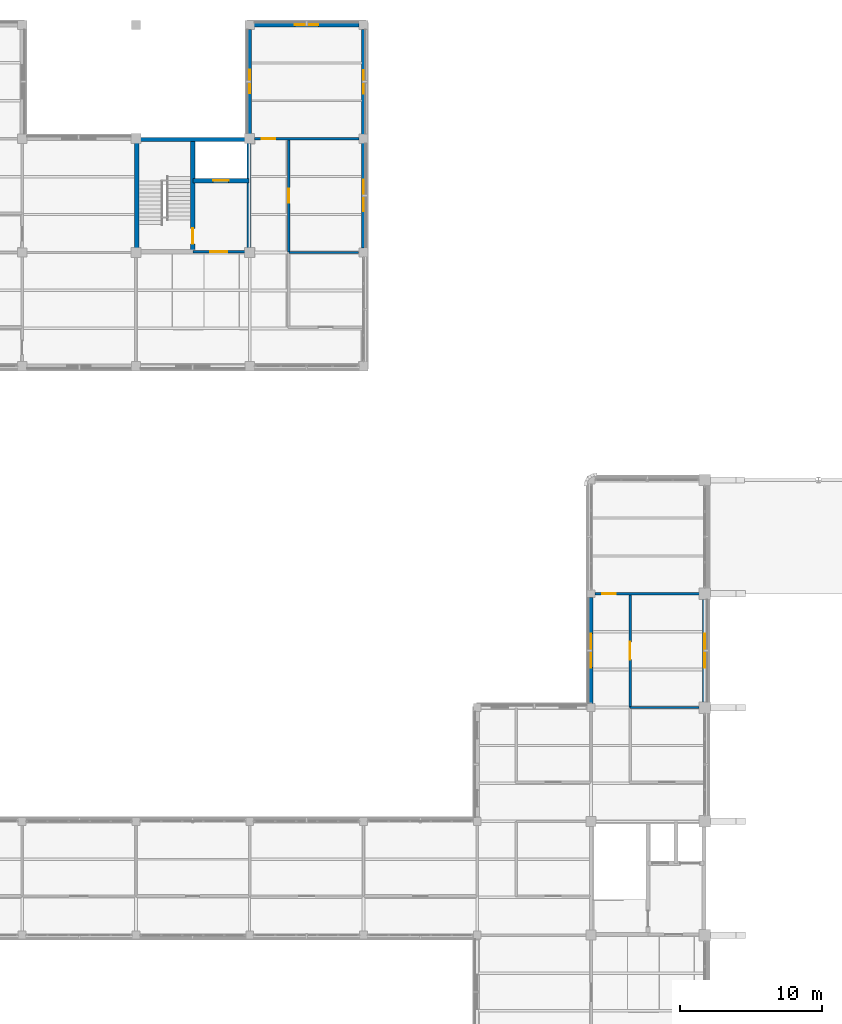
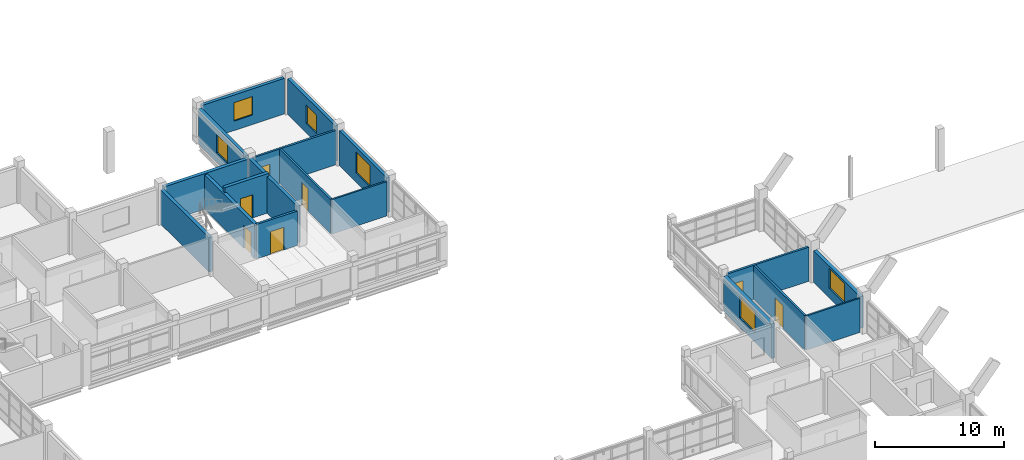
# One storey, part 70 of 92: 18 walls, 7 doors, 6 windows, 13 openings.
"""IFC4 building model written with IfcOpenShell, lengths in metres."""

from ifc_helpers import new_model, si_unit, derived_unit, direction, frame, frame_2d, origin, place, context, subcontext, project, spatial, rectangle, extrude, material, layer, layer_set, type_object, element, fill, save


model = new_model("IFC4")

# Units and contexts
model_context = context("Model", 3, precision=1e-05, world=origin(), true_north=direction((0.0, 1.0)))
body_context = subcontext(model_context, "Body", "Model", "MODEL_VIEW")
ifc_project = project(units=[si_unit("LENGTHUNIT", "METRE"), si_unit("AREAUNIT", "SQUARE_METRE"), si_unit("VOLUMEUNIT", "CUBIC_METRE"), si_unit("PLANEANGLEUNIT", "RADIAN"), si_unit("MASSUNIT", "GRAM", prefix="KILO"), derived_unit("THERMALTRANSMITTANCEUNIT", [(si_unit("MASSUNIT", "GRAM", prefix="KILO"), 1), (si_unit("TIMEUNIT", "SECOND"), -3), (si_unit("THERMODYNAMICTEMPERATUREUNIT", "KELVIN"), -1)])], contexts=[model_context])

# Site, building, storey
site_placement = place(None, origin())
site = spatial("IfcSite", under=ifc_project, at=site_placement, CompositionType="ELEMENT")
building_placement = place(site_placement, origin())
building = spatial("IfcBuilding", under=site, at=building_placement, Name="Veyamyaing Civic Hall", CompositionType="ELEMENT")
storey_placement = place(building_placement, frame((0.0, 0.0, 17.820068359375)))
storey = spatial("IfcBuildingStorey", under=building, at=storey_placement, Name="L04", CompositionType="ELEMENT", Elevation=17.820068359375)

# Wall, opening, window
ifc_material_1 = material(Name="Precast concrete C40/50", Category="concrete")
ifc_layer_1 = layer(ifc_material_1, 0.304931640625, Name="Precast concrete C40/50")
ifc_layer_set_1 = layer_set([ifc_layer_1], Name="Precast concrete C40/50")
wall_type_1 = type_object("IfcWallType", Name="WT-03", PredefinedType="SOLIDWALL", material=ifc_layer_set_1)
wall_1_placement = place(storey_placement, frame((64.0, 64.260009765625, 0.0), z_axis=(0.0, 0.0, 1.0), x_axis=(0.0, 1.0, 0.0)))
wall_1 = element("IfcWall", 1, at=wall_1_placement, inside=storey, type_object=wall_type_1, Name="Exterior facade wall WT-03 L04 W 9.9", PredefinedType="SOLIDWALL", context=body_context, shape_type="SweptSolid", body=[
    extrude(rectangle(XDim=7.47998046875, YDim=0.304931640625, at=frame_2d((3.739990234375, 0.0))), origin(), (0.0, 0.0, 1.0), 3.284912109375),
])
opening_1_placement = place(wall_1_placement, frame((2.5400390625, 0.0, 0.89990234375)))
opening_1 = element("IfcOpeningElement", 2, at=opening_1_placement, cuts=wall_1, Name="Opening W-07", PredefinedType="OPENING", context=body_context, shape_type="SweptSolid", body=[
    extrude(rectangle(XDim=2.39990234375, YDim=2.0, at=frame_2d((1.199951171875, 1.0))), frame((0.0, 0.162353515625, 0.0), z_axis=(0.0, -1.0, 0.0), x_axis=(1.0, 0.0, 0.0)), (0.0, 0.0, 1.0), 0.324951171875),
])
ifc_material_2 = material(Name="Low-E insulated glass", Category="glass")
window_type_1 = type_object("IfcWindowType", Name="W-07", PartitioningType="SINGLE_PANEL", PredefinedType="WINDOW", material=ifc_material_2)
window_1_placement = place(opening_1_placement, origin())
window_1 = element("IfcWindow", 3, at=window_1_placement, inside=storey, type_object=window_type_1, Name="Facade window W-07 L04 W 9.9", OverallHeight=2.0, OverallWidth=2.39990234375, PartitioningType="SINGLE_PANEL", PredefinedType="WINDOW", context=body_context, shape_type="SweptSolid", body=[
    extrude(rectangle(XDim=2.39990234375, YDim=2.0, at=frame_2d((1.199951171875, 1.0))), frame((0.0, 0.030029296875, 0.0), z_axis=(0.0, -1.0, 0.0), x_axis=(1.0, 0.0, 0.0)), (0.0, 0.0, 1.0), 0.06005859375),
])
fill(opening_1, window_1)

wall_2_placement = place(storey_placement, frame((72.0, 64.385009765625, 0.0), z_axis=(0.0, 0.0, 1.0), x_axis=(0.0, 1.0, 0.0)))
wall_2 = element("IfcWall", 4, at=wall_2_placement, inside=storey, type_object=wall_type_1, Name="Exterior facade wall WT-03 L04 E 9.9", PredefinedType="SOLIDWALL", context=body_context, shape_type="SweptSolid", body=[
    extrude(rectangle(XDim=7.22998046875, YDim=0.304931640625, at=frame_2d((3.614990234375, 0.0))), origin(), (0.0, 0.0, 1.0), 3.001953125),
])
opening_2_placement = place(wall_2_placement, frame((2.4150390625, 0.0, 0.89990234375)))
opening_2 = element("IfcOpeningElement", 5, at=opening_2_placement, cuts=wall_2, Name="Opening W-34", PredefinedType="OPENING", context=body_context, shape_type="SweptSolid", body=[
    extrude(rectangle(XDim=2.39990234375, YDim=1.902099609375, at=frame_2d((1.199951171875, 0.951171875))), frame((0.0, 0.162353515625, 0.0), z_axis=(0.0, -1.0, 0.0), x_axis=(1.0, 0.0, 0.0)), (0.0, 0.0, 1.0), 0.324951171875),
])
window_type_2 = type_object("IfcWindowType", Name="W-34", PartitioningType="SINGLE_PANEL", PredefinedType="WINDOW", material=ifc_material_2)
window_2_placement = place(opening_2_placement, origin())
window_2 = element("IfcWindow", 6, at=window_2_placement, inside=storey, type_object=window_type_2, Name="Facade window W-34 L04 E 9.9", OverallHeight=1.902099609375, OverallWidth=2.39990234375, PartitioningType="SINGLE_PANEL", PredefinedType="WINDOW", context=body_context, shape_type="SweptSolid", body=[
    extrude(rectangle(XDim=2.39990234375, YDim=1.902099609375, at=frame_2d((1.199951171875, 0.951171875))), frame((0.0, 0.030029296875, 0.0), z_axis=(0.0, -1.0, 0.0), x_axis=(1.0, 0.0, 0.0)), (0.0, 0.0, 1.0), 0.06005859375),
])
fill(opening_2, window_2)

ifc_layer_2 = layer(ifc_material_1, 0.280029296875, Name="Precast concrete C40/50")
ifc_layer_set_2 = layer_set([ifc_layer_2], Name="Precast concrete C40/50")
wall_type_2 = type_object("IfcWallType", Name="WT-04", PredefinedType="SOLIDWALL", material=ifc_layer_set_2)
wall_3_placement = place(storey_placement, frame((48.0, 96.31005859375, 0.0), z_axis=(0.0, 0.0, 1.0), x_axis=(0.0, 1.0, 0.0)))
wall_3 = element("IfcWall", 7, at=wall_3_placement, inside=storey, type_object=wall_type_2, Name="Exterior facade wall WT-04 L04 E 6.13", PredefinedType="SOLIDWALL", context=body_context, shape_type="SweptSolid", body=[
    extrude(rectangle(XDim=7.3798828125, YDim=0.280029296875, at=frame_2d((3.68994140625, 0.0))), origin(), (0.0, 0.0, 1.0), 3.31396484375),
])
opening_3_placement = place(wall_3_placement, frame((2.590087890625, 0.0, 0.89990234375)))
opening_3 = element("IfcOpeningElement", 8, at=opening_3_placement, cuts=wall_3, Name="Opening W-08", PredefinedType="OPENING", context=body_context, shape_type="SweptSolid", body=[
    extrude(rectangle(XDim=2.199951171875, YDim=2.0, at=frame_2d((1.10009765625, 1.0))), frame((0.0, 0.14990234375, 0.0), z_axis=(0.0, -1.0, 0.0), x_axis=(1.0, 0.0, 0.0)), (0.0, 0.0, 1.0), 0.300048828125),
])
window_type_3 = type_object("IfcWindowType", Name="W-08", PartitioningType="SINGLE_PANEL", PredefinedType="WINDOW", material=ifc_material_2)
window_3_placement = place(opening_3_placement, origin())
window_3 = element("IfcWindow", 9, at=window_3_placement, inside=storey, type_object=window_type_3, Name="Facade window W-08 L04 E 6.13", OverallHeight=2.0, OverallWidth=2.199951171875, PartitioningType="SINGLE_PANEL", PredefinedType="WINDOW", context=body_context, shape_type="SweptSolid", body=[
    extrude(rectangle(XDim=2.199951171875, YDim=2.0, at=frame_2d((1.10009765625, 1.0))), frame((0.0, 0.030029296875, 0.0), z_axis=(0.0, -1.0, 0.0), x_axis=(1.0, 0.0, 0.0)), (0.0, 0.0, 1.0), 0.06005859375),
])
fill(opening_3, window_3)

wall_4_placement = place(storey_placement, frame((40.31005859375, 112.0, 0.0), z_axis=(0.0, 0.0, 1.0), x_axis=(1.0, 0.0, 0.0)))
wall_4 = element("IfcWall", 10, at=wall_4_placement, inside=storey, type_object=wall_type_2, Name="Exterior facade wall WT-04 L04 N 6.14", PredefinedType="SOLIDWALL", context=body_context, shape_type="SweptSolid", body=[
    extrude(rectangle(XDim=7.3798828125, YDim=0.280029296875, at=frame_2d((3.68994140625, 0.0))), origin(), (0.0, 0.0, 1.0), 3.376953125),
])
opening_4_placement = place(wall_4_placement, frame((2.864990234375, 0.0, 0.89990234375)))
opening_4 = element("IfcOpeningElement", 11, at=opening_4_placement, cuts=wall_4, Name="Opening W-24", PredefinedType="OPENING", context=body_context, shape_type="SweptSolid", body=[
    extrude(rectangle(XDim=1.64990234375, YDim=1.75, at=frame_2d((0.824951171875, 0.875))), frame((0.0, 0.14990234375, 0.0), z_axis=(0.0, -1.0, 0.0), x_axis=(1.0, 0.0, 0.0)), (0.0, 0.0, 1.0), 0.300048828125),
])
window_type_4 = type_object("IfcWindowType", Name="W-24", PartitioningType="SINGLE_PANEL", PredefinedType="WINDOW", material=ifc_material_2)
window_4_placement = place(opening_4_placement, origin())
window_4 = element("IfcWindow", 12, at=window_4_placement, inside=storey, type_object=window_type_4, Name="Facade window W-24 L04 N 6.14", OverallHeight=1.75, OverallWidth=1.64990234375, PartitioningType="SINGLE_PANEL", PredefinedType="WINDOW", context=body_context, shape_type="SweptSolid", body=[
    extrude(rectangle(XDim=1.64990234375, YDim=1.75, at=frame_2d((0.824951171875, 0.875))), frame((0.0, 0.030029296875, 0.0), z_axis=(0.0, -1.0, 0.0), x_axis=(1.0, 0.0, 0.0)), (0.0, 0.0, 1.0), 0.06005859375),
])
fill(opening_4, window_4)

wall_5_placement = place(storey_placement, frame((40.0, 104.3349609375, 0.0), z_axis=(0.0, 0.0, 1.0), x_axis=(0.0, 1.0, 0.0)))
wall_5 = element("IfcWall", 13, at=wall_5_placement, inside=storey, type_object=wall_type_2, Name="Exterior facade wall WT-04 L04 W 6.14", PredefinedType="SOLIDWALL", context=body_context, shape_type="SweptSolid", body=[
    extrude(rectangle(XDim=7.35498046875, YDim=0.280029296875, at=frame_2d((3.677490234375, 0.0))), origin(), (0.0, 0.0, 1.0), 3.31396484375),
])
opening_5_placement = place(wall_5_placement, frame((2.8525390625, 0.0, 0.89990234375)))
opening_5 = element("IfcOpeningElement", 14, at=opening_5_placement, cuts=wall_5, Name="Opening W-24", PredefinedType="OPENING", context=body_context, shape_type="SweptSolid", body=[
    extrude(rectangle(XDim=1.64990234375, YDim=1.75, at=frame_2d((0.824951171875, 0.875))), frame((0.0, 0.14990234375, 0.0), z_axis=(0.0, -1.0, 0.0), x_axis=(1.0, 0.0, 0.0)), (0.0, 0.0, 1.0), 0.300048828125),
])
window_5_placement = place(opening_5_placement, origin())
window_5 = element("IfcWindow", 15, at=window_5_placement, inside=storey, type_object=window_type_4, Name="Facade window W-24 L04 W 6.14", OverallHeight=1.75, OverallWidth=1.64990234375, PartitioningType="SINGLE_PANEL", PredefinedType="WINDOW", context=body_context, shape_type="SweptSolid", body=[
    extrude(rectangle(XDim=1.64990234375, YDim=1.75, at=frame_2d((0.824951171875, 0.875))), frame((0.0, 0.030029296875, 0.0), z_axis=(0.0, -1.0, 0.0), x_axis=(1.0, 0.0, 0.0)), (0.0, 0.0, 1.0), 0.06005859375),
])
fill(opening_5, window_5)

wall_6_placement = place(storey_placement, frame((48.0, 104.31005859375, 0.0), z_axis=(0.0, 0.0, 1.0), x_axis=(0.0, 1.0, 0.0)))
wall_6 = element("IfcWall", 16, at=wall_6_placement, inside=storey, type_object=wall_type_2, Name="Exterior facade wall WT-04 L04 E 6.14", PredefinedType="SOLIDWALL", context=body_context, shape_type="SweptSolid", body=[
    extrude(rectangle(XDim=7.3798828125, YDim=0.280029296875, at=frame_2d((3.68994140625, 0.0))), origin(), (0.0, 0.0, 1.0), 3.376953125),
])
opening_6_placement = place(wall_6_placement, frame((2.864990234375, 0.0, 0.89990234375)))
opening_6 = element("IfcOpeningElement", 17, at=opening_6_placement, cuts=wall_6, Name="Opening W-24", PredefinedType="OPENING", context=body_context, shape_type="SweptSolid", body=[
    extrude(rectangle(XDim=1.64990234375, YDim=1.75, at=frame_2d((0.824951171875, 0.875))), frame((0.0, 0.14990234375, 0.0), z_axis=(0.0, -1.0, 0.0), x_axis=(1.0, 0.0, 0.0)), (0.0, 0.0, 1.0), 0.300048828125),
])
window_6_placement = place(opening_6_placement, origin())
window_6 = element("IfcWindow", 18, at=window_6_placement, inside=storey, type_object=window_type_4, Name="Facade window W-24 L04 E 6.14", OverallHeight=1.75, OverallWidth=1.64990234375, PartitioningType="SINGLE_PANEL", PredefinedType="WINDOW", context=body_context, shape_type="SweptSolid", body=[
    extrude(rectangle(XDim=1.64990234375, YDim=1.75, at=frame_2d((0.824951171875, 0.875))), frame((0.0, 0.030029296875, 0.0), z_axis=(0.0, -1.0, 0.0), x_axis=(1.0, 0.0, 0.0)), (0.0, 0.0, 1.0), 0.06005859375),
])
fill(opening_6, window_6)

# Walls
ifc_material_3 = material(Name="Concrete C40/50", Category="concrete")
ifc_layer_3 = layer(ifc_material_3, 0.300048828125, Name="Concrete C40/50")
ifc_layer_set_3 = layer_set([ifc_layer_3], Name="Concrete C40/50")
wall_type_3 = type_object("IfcWallType", Name="WT-05", PredefinedType="SHEAR", material=ifc_layer_set_3)
wall_7_placement = place(storey_placement, frame((32.050048828125, 96.239990234375, 0.0), z_axis=(0.0, 0.0, 1.0), x_axis=(0.0, 1.0, 0.0)))
element("IfcWall", 19, at=wall_7_placement, inside=storey, type_object=wall_type_3, Name="Core shear wall WT-05 CORE-2 L04.W", PredefinedType="SHEAR", context=body_context, shape_type="SweptSolid", body=[
    extrude(rectangle(XDim=7.52001953125, YDim=0.300048828125, at=frame_2d((3.760009765625, 0.0))), origin(), (0.0, 0.0, 1.0), 3.262939453125),
])
wall_8_placement = place(storey_placement, frame((32.239990234375, 103.949951171875, 0.0), z_axis=(0.0, 0.0, 1.0), x_axis=(1.0, 0.0, 0.0)))
element("IfcWall", 20, at=wall_8_placement, inside=storey, type_object=wall_type_3, Name="Core shear wall WT-05 CORE-2 L04.N", PredefinedType="SHEAR", context=body_context, shape_type="SweptSolid", body=[
    extrude(rectangle(XDim=7.52001953125, YDim=0.300048828125, at=frame_2d((3.760009765625, 0.0))), origin(), (0.0, 0.0, 1.0), 3.366943359375),
])
wall_9_placement = place(storey_placement, frame((39.949951171875, 96.239990234375, 0.0), z_axis=(0.0, 0.0, 1.0), x_axis=(0.0, 1.0, 0.0)))
element("IfcWall", 21, at=wall_9_placement, inside=storey, type_object=wall_type_3, Name="Core shear wall WT-05 CORE-2 L04.E", PredefinedType="SHEAR", context=body_context, shape_type="SweptSolid", body=[
    extrude(rectangle(XDim=7.52001953125, YDim=0.300048828125, at=frame_2d((3.760009765625, 0.0))), origin(), (0.0, 0.0, 1.0), 3.4619140625),
])

# Wall, opening, door
wall_10_placement = place(storey_placement, frame((36.0, 96.050048828125, 0.0), z_axis=(0.0, 0.0, 1.0), x_axis=(0.0, 1.0, 0.0)))
wall_10 = element("IfcWall", 22, at=wall_10_placement, inside=storey, type_object=wall_type_3, Name="Core shear wall WT-05 CORE-2 L04.MID", PredefinedType="SHEAR", context=body_context, shape_type="SweptSolid", body=[
    extrude(rectangle(XDim=7.89990234375, YDim=0.300048828125, at=frame_2d((3.949951171875, 0.0))), origin(), (0.0, 0.0, 1.0), 3.2568359375),
])
opening_7_placement = place(wall_10_placement, frame((0.550048828125, 0.0, 0.0)))
opening_7 = element("IfcOpeningElement", 23, at=opening_7_placement, cuts=wall_10, Name="Opening D-03", PredefinedType="OPENING", context=body_context, shape_type="SweptSolid", body=[
    extrude(rectangle(XDim=1.10009765625, YDim=2.14990234375, at=frame_2d((0.550048828125, 1.074951171875))), frame((0.0, 0.159912109375, 0.0), z_axis=(0.0, -1.0, 0.0), x_axis=(1.0, 0.0, 0.0)), (0.0, 0.0, 1.0), 0.320068359375),
])
ifc_material_4 = material(Name="Galvanized steel S355J2", Category="steel")
door_type_1 = type_object("IfcDoorType", Name="D-03", OperationType="NOTDEFINED", PredefinedType="DOOR", material=ifc_material_4)
door_1_placement = place(opening_7_placement, origin())
door_1 = element("IfcDoor", 24, at=door_1_placement, inside=storey, type_object=door_type_1, Name="Exit stair fire door D-03 ST-02 L04", OperationType="SINGLE_SWING_RIGHT", OverallHeight=2.14990234375, OverallWidth=1.10009765625, PredefinedType="DOOR", context=body_context, shape_type="SweptSolid", body=[
    extrude(rectangle(XDim=1.10009765625, YDim=2.14990234375, at=frame_2d((0.550048828125, 1.074951171875))), frame((0.0, 0.02490234375, 0.0), z_axis=(0.0, -1.0, 0.0), x_axis=(1.0, 0.0, 0.0)), (0.0, 0.0, 1.0), 0.050048828125),
])
fill(opening_7, door_1)

wall_11_placement = place(storey_placement, frame((36.0, 101.050048828125, 0.0), z_axis=(0.0, 0.0, 1.0), x_axis=(1.0, 0.0, 0.0)))
wall_11 = element("IfcWall", 25, at=wall_11_placement, inside=storey, type_object=wall_type_3, Name="Core shear wall WT-05 CORE-2 L04.LFT", PredefinedType="SHEAR", context=body_context, shape_type="SweptSolid", body=[
    extrude(rectangle(XDim=3.949951171875, YDim=0.300048828125, at=frame_2d((1.97509765625, 0.0))), origin(), (0.0, 0.0, 1.0), 3.73486328125),
])
opening_8_placement = place(wall_11_placement, frame((1.425048828125, 0.0, 0.0)))
opening_8 = element("IfcOpeningElement", 26, at=opening_8_placement, cuts=wall_11, Name="Opening LD-01", PredefinedType="OPENING", context=body_context, shape_type="SweptSolid", body=[
    extrude(rectangle(XDim=1.10009765625, YDim=2.199951171875, at=frame_2d((0.550048828125, 1.10009765625))), frame((0.0, 0.159912109375, 0.0), z_axis=(0.0, -1.0, 0.0), x_axis=(1.0, 0.0, 0.0)), (0.0, 0.0, 1.0), 0.320068359375),
])
ifc_material_5 = material(Name="Anodised aluminium 6063-T6", Category="aluminium")
door_type_2 = type_object("IfcDoorType", Name="LD-01", OperationType="SLIDING_TO_LEFT", PredefinedType="DOOR", material=ifc_material_5)
door_2_placement = place(opening_8_placement, origin())
door_2 = element("IfcDoor", 27, at=door_2_placement, inside=storey, type_object=door_type_2, Name="Lift sliding landing door LD-01 PL-01 L04", OperationType="SLIDING_TO_LEFT", OverallHeight=2.199951171875, OverallWidth=1.10009765625, PredefinedType="DOOR", context=body_context, shape_type="SweptSolid", body=[
    extrude(rectangle(XDim=1.10009765625, YDim=2.199951171875, at=frame_2d((0.550048828125, 1.10009765625))), frame((0.0, 0.02490234375, 0.0), z_axis=(0.0, -1.0, 0.0), x_axis=(1.0, 0.0, 0.0)), (0.0, 0.0, 1.0), 0.050048828125),
])
fill(opening_8, door_2)

ifc_layer_4 = layer(ifc_material_3, 0.199951171875, Name="Concrete C40/50")
ifc_layer_set_4 = layer_set([ifc_layer_4], Name="Concrete C40/50")
wall_type_4 = type_object("IfcWallType", Name="WT-06", PredefinedType="PARTITIONING", material=ifc_layer_set_4)
wall_12_placement = place(storey_placement, frame((36.0, 96.050048828125, 0.0), z_axis=(0.0, 0.0, 1.0), x_axis=(1.0, 0.0, 0.0)))
wall_12 = element("IfcWall", 28, at=wall_12_placement, inside=storey, type_object=wall_type_4, Name="Firefighting lift lobby wall WT-06 CORE-2 L04", PredefinedType="PARTITIONING", context=body_context, shape_type="SweptSolid", body=[
    extrude(rectangle(XDim=3.659912109375, YDim=0.199951171875, at=frame_2d((1.830078125, 0.0))), origin(), (0.0, 0.0, 1.0), 3.2568359375),
])
opening_9_placement = place(wall_12_placement, frame((1.22998046875, 0.0, 0.0)))
opening_9 = element("IfcOpeningElement", 29, at=opening_9_placement, cuts=wall_12, Name="Opening D-04", PredefinedType="OPENING", context=body_context, shape_type="SweptSolid", body=[
    extrude(rectangle(XDim=1.199951171875, YDim=2.14990234375, at=frame_2d((0.60009765625, 1.074951171875))), frame((0.0, 0.10986328125, 0.0), z_axis=(0.0, -1.0, 0.0), x_axis=(1.0, 0.0, 0.0)), (0.0, 0.0, 1.0), 0.219970703125),
])
door_type_3 = type_object("IfcDoorType", Name="D-04", OperationType="NOTDEFINED", PredefinedType="DOOR", material=ifc_material_4)
door_3_placement = place(opening_9_placement, frame((1.199951171875, 0.0, 0.0), z_axis=(0.0, 0.0, 1.0), x_axis=(-1.0, 0.0, 0.0)))
door_3 = element("IfcDoor", 30, at=door_3_placement, inside=storey, type_object=door_type_3, Name="Protected lobby fire door D-04 CORE-2 L04", OperationType="SINGLE_SWING_LEFT", OverallHeight=2.14990234375, OverallWidth=1.199951171875, PredefinedType="DOOR", context=body_context, shape_type="SweptSolid", body=[
    extrude(rectangle(XDim=1.199951171875, YDim=2.14990234375, at=frame_2d((0.60009765625, 1.074951171875))), frame((0.0, 0.02490234375, 0.0), z_axis=(0.0, -1.0, 0.0), x_axis=(1.0, 0.0, 0.0)), (0.0, 0.0, 1.0), 0.050048828125),
])
fill(opening_9, door_3)

ifc_material_6 = material(Name="Gypsum board on acoustic steel stud", Category="steel")
ifc_layer_5 = layer(ifc_material_6, 0.175048828125, Name="Gypsum board on acoustic steel stud")
ifc_layer_set_5 = layer_set([ifc_layer_5], Name="Gypsum board on acoustic steel stud")
wall_type_5 = type_object("IfcWallType", Name="WT-07", PredefinedType="PARTITIONING", material=ifc_layer_set_5)
wall_13_placement = place(storey_placement, frame((42.75, 96.02001953125, 0.0), z_axis=(0.0, 0.0, 1.0), x_axis=(0.0, 1.0, 0.0)))
wall_13 = element("IfcWall", 31, at=wall_13_placement, inside=storey, type_object=wall_type_5, Name="Corridor gallery partition WT-07 L04.17.1", PredefinedType="PARTITIONING", context=body_context, shape_type="SweptSolid", body=[
    extrude(rectangle(XDim=7.9599609375, YDim=0.175048828125, at=frame_2d((3.97998046875, 0.0))), origin(), (0.0, 0.0, 1.0), 3.2509765625),
])
opening_10_placement = place(wall_13_placement, frame((3.489990234375, 0.0, 0.0)))
opening_10 = element("IfcOpeningElement", 32, at=opening_10_placement, cuts=wall_13, Name="Opening D-14", PredefinedType="OPENING", context=body_context, shape_type="SweptSolid", body=[
    extrude(rectangle(XDim=0.97998046875, YDim=2.14990234375, at=frame_2d((0.489990234375, 1.074951171875))), frame((0.0, 0.097412109375, 0.0), z_axis=(0.0, -1.0, 0.0), x_axis=(1.0, 0.0, 0.0)), (0.0, 0.0, 1.0), 0.195068359375),
])
ifc_material_7 = material(Name="Teak-veneered acoustic timber", Category="wood")
door_type_4 = type_object("IfcDoorType", Name="D-14", OperationType="NOTDEFINED", PredefinedType="DOOR", material=ifc_material_7)
door_4_placement = place(opening_10_placement, frame((0.97998046875, 0.0, 0.0), z_axis=(0.0, 0.0, 1.0), x_axis=(-1.0, 0.0, 0.0)))
door_4 = element("IfcDoor", 33, at=door_4_placement, inside=storey, type_object=door_type_4, Name="Gallery office door D-14 L04.17", OperationType="SINGLE_SWING_RIGHT", OverallHeight=2.14990234375, OverallWidth=0.97998046875, PredefinedType="DOOR", context=body_context, shape_type="SweptSolid", body=[
    extrude(rectangle(XDim=0.97998046875, YDim=2.14990234375, at=frame_2d((0.489990234375, 1.074951171875))), frame((0.0, 0.02490234375, 0.0), z_axis=(0.0, -1.0, 0.0), x_axis=(1.0, 0.0, 0.0)), (0.0, 0.0, 1.0), 0.050048828125),
])
fill(opening_10, door_4)

wall_14_placement = place(storey_placement, frame((66.75, 64.02001953125, 0.0), z_axis=(0.0, 0.0, 1.0), x_axis=(0.0, 1.0, 0.0)))
wall_14 = element("IfcWall", 34, at=wall_14_placement, inside=storey, type_object=wall_type_5, Name="Corridor gallery partition WT-07 L04.23.1", PredefinedType="PARTITIONING", context=body_context, shape_type="SweptSolid", body=[
    extrude(rectangle(XDim=7.9599609375, YDim=0.175048828125, at=frame_2d((3.97998046875, 0.0))), origin(), (0.0, 0.0, 1.0), 3.23193359375),
])
opening_11_placement = place(wall_14_placement, frame((3.35498046875, 0.0, 0.0)))
opening_11 = element("IfcOpeningElement", 35, at=opening_11_placement, cuts=wall_14, Name="Opening D-29", PredefinedType="OPENING", context=body_context, shape_type="SweptSolid", body=[
    extrude(rectangle(XDim=1.25, YDim=2.179931640625, at=frame_2d((0.625, 1.08984375))), frame((0.0, 0.097412109375, 0.0), z_axis=(0.0, -1.0, 0.0), x_axis=(1.0, 0.0, 0.0)), (0.0, 0.0, 1.0), 0.195068359375),
])
door_type_5 = type_object("IfcDoorType", Name="D-29", OperationType="NOTDEFINED", PredefinedType="DOOR", material=ifc_material_7)
door_5_placement = place(opening_11_placement, frame((1.25, 0.0, 0.0), z_axis=(0.0, 0.0, 1.0), x_axis=(-1.0, 0.0, 0.0)))
door_5 = element("IfcDoor", 36, at=door_5_placement, inside=storey, type_object=door_type_5, Name="Gallery office door D-29 L04.23", OperationType="SINGLE_SWING_RIGHT", OverallHeight=2.179931640625, OverallWidth=1.25, PredefinedType="DOOR", context=body_context, shape_type="SweptSolid", body=[
    extrude(rectangle(XDim=1.25, YDim=2.179931640625, at=frame_2d((0.625, 1.08984375))), frame((0.0, 0.02490234375, 0.0), z_axis=(0.0, -1.0, 0.0), x_axis=(1.0, 0.0, 0.0)), (0.0, 0.0, 1.0), 0.050048828125),
])
fill(opening_11, door_5)

# Walls
ifc_material_8 = material(Name="Gypsum board on steel stud", Category="steel")
ifc_layer_6 = layer(ifc_material_8, 0.14990234375, Name="Gypsum board on steel stud")
ifc_layer_set_6 = layer_set([ifc_layer_6], Name="Gypsum board on steel stud")
wall_type_6 = type_object("IfcWallType", Name="WT-08", PredefinedType="PARTITIONING", material=ifc_layer_set_6)
wall_15_placement = place(storey_placement, frame((42.75, 96.0, 0.0), z_axis=(0.0, 0.0, 1.0), x_axis=(1.0, 0.0, 0.0)))
element("IfcWall", 37, at=wall_15_placement, inside=storey, type_object=wall_type_6, Name="Gallery office end partition WT-08 L04.16.1", PredefinedType="PARTITIONING", context=body_context, shape_type="SweptSolid", body=[
    extrude(rectangle(XDim=4.9150390625, YDim=0.14990234375, at=frame_2d((2.45751953125, 0.0))), origin(), (0.0, 0.0, 1.0), 3.262939453125),
])
wall_16_placement = place(storey_placement, frame((66.75, 64.0, 0.0), z_axis=(0.0, 0.0, 1.0), x_axis=(1.0, 0.0, 0.0)))
element("IfcWall", 38, at=wall_16_placement, inside=storey, type_object=wall_type_6, Name="Gallery office end partition WT-08 L04.22.1", PredefinedType="PARTITIONING", context=body_context, shape_type="SweptSolid", body=[
    extrude(rectangle(XDim=4.840087890625, YDim=0.14990234375, at=frame_2d((2.419921875, 0.0))), origin(), (0.0, 0.0, 1.0), 3.23193359375),
])

# Wall, opening, door
ifc_material_9 = material(Name="Gypsum board on double acoustic stud")
ifc_layer_7 = layer(ifc_material_9, 0.18505859375, Name="Gypsum board on double acoustic stud")
ifc_layer_set_7 = layer_set([ifc_layer_7], Name="Gypsum board on double acoustic stud")
wall_type_7 = type_object("IfcWallType", Name="WT-19", PredefinedType="PARTITIONING", material=ifc_layer_set_7)
wall_17_placement = place(storey_placement, frame((40.340087890625, 104.0, 0.0), z_axis=(0.0, 0.0, 1.0), x_axis=(1.0, 0.0, 0.0)))
wall_17 = element("IfcWall", 39, at=wall_17_placement, inside=storey, type_object=wall_type_7, Name="Interior partition wall WT-19 L04.12", PredefinedType="PARTITIONING", context=body_context, shape_type="SweptSolid", body=[
    extrude(rectangle(XDim=7.344970703125, YDim=0.18505859375, at=frame_2d((3.67236328125, 0.0))), origin(), (0.0, 0.0, 1.0), 3.2509765625),
])
opening_12_placement = place(wall_17_placement, frame((0.52001953125, 0.0, 0.0)))
opening_12 = element("IfcOpeningElement", 40, at=opening_12_placement, cuts=wall_17, Name="Opening D-30", PredefinedType="OPENING", context=body_context, shape_type="SweptSolid", body=[
    extrude(rectangle(XDim=0.93994140625, YDim=2.1201171875, at=frame_2d((0.469970703125, 1.06005859375))), frame((0.0, 0.1025390625, 0.0), z_axis=(0.0, -1.0, 0.0), x_axis=(1.0, 0.0, 0.0)), (0.0, 0.0, 1.0), 0.205078125),
])
door_type_6 = type_object("IfcDoorType", Name="D-30", OperationType="NOTDEFINED", PredefinedType="DOOR", material=ifc_material_7)
door_6_placement = place(opening_12_placement, origin())
door_6 = element("IfcDoor", 41, at=door_6_placement, inside=storey, type_object=door_type_6, Name="Interior door D-30 L04.12", OperationType="SINGLE_SWING_RIGHT", OverallHeight=2.1201171875, OverallWidth=0.93994140625, PredefinedType="DOOR", context=body_context, shape_type="SweptSolid", body=[
    extrude(rectangle(XDim=0.93994140625, YDim=2.1201171875, at=frame_2d((0.469970703125, 1.06005859375))), frame((0.0, 0.02490234375, 0.0), z_axis=(0.0, -1.0, 0.0), x_axis=(1.0, 0.0, 0.0)), (0.0, 0.0, 1.0), 0.050048828125),
])
fill(opening_12, door_6)

wall_18_placement = place(storey_placement, frame((64.264892578125, 72.0, 0.0), z_axis=(0.0, 0.0, 1.0), x_axis=(1.0, 0.0, 0.0)))
wall_18 = element("IfcWall", 42, at=wall_18_placement, inside=storey, type_object=wall_type_7, Name="Interior partition wall WT-19 L04.16", PredefinedType="PARTITIONING", context=body_context, shape_type="SweptSolid", body=[
    extrude(rectangle(XDim=7.34521484375, YDim=0.18505859375, at=frame_2d((3.672607421875, 0.0))), origin(), (0.0, 0.0, 1.0), 3.238037109375),
])
opening_13_placement = place(wall_18_placement, frame((0.52001953125, 0.0, 0.0)))
opening_13 = element("IfcOpeningElement", 43, at=opening_13_placement, cuts=wall_18, Name="Opening D-30", PredefinedType="OPENING", context=body_context, shape_type="SweptSolid", body=[
    extrude(rectangle(XDim=0.93994140625, YDim=2.1201171875, at=frame_2d((0.469970703125, 1.06005859375))), frame((0.0, 0.1025390625, 0.0), z_axis=(0.0, -1.0, 0.0), x_axis=(1.0, 0.0, 0.0)), (0.0, 0.0, 1.0), 0.205078125),
])
door_7_placement = place(opening_13_placement, origin())
door_7 = element("IfcDoor", 44, at=door_7_placement, inside=storey, type_object=door_type_6, Name="Interior door D-30 L04.16", OperationType="SINGLE_SWING_LEFT", OverallHeight=2.1201171875, OverallWidth=0.93994140625, PredefinedType="DOOR", context=body_context, shape_type="SweptSolid", body=[
    extrude(rectangle(XDim=0.93994140625, YDim=2.1201171875, at=frame_2d((0.469970703125, 1.06005859375))), frame((0.0, 0.02490234375, 0.0), z_axis=(0.0, -1.0, 0.0), x_axis=(1.0, 0.0, 0.0)), (0.0, 0.0, 1.0), 0.050048828125),
])
fill(opening_13, door_7)

save(model, "model.ifc")
